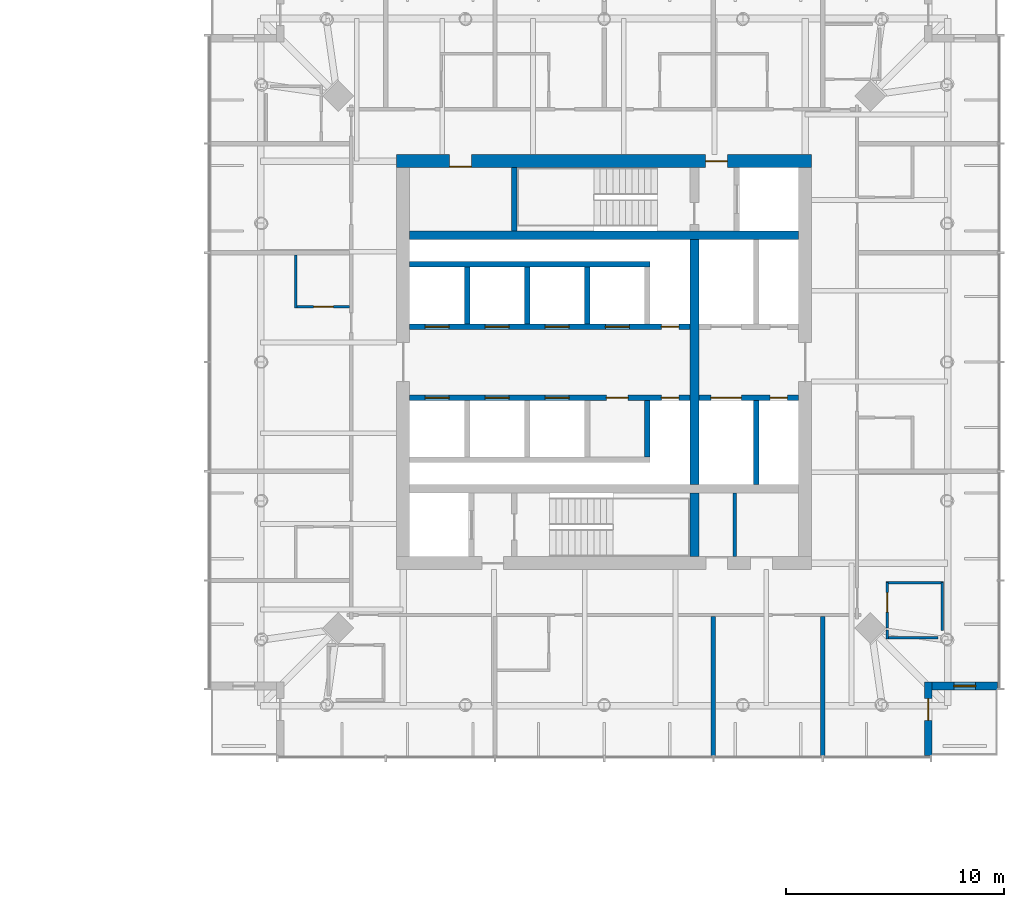
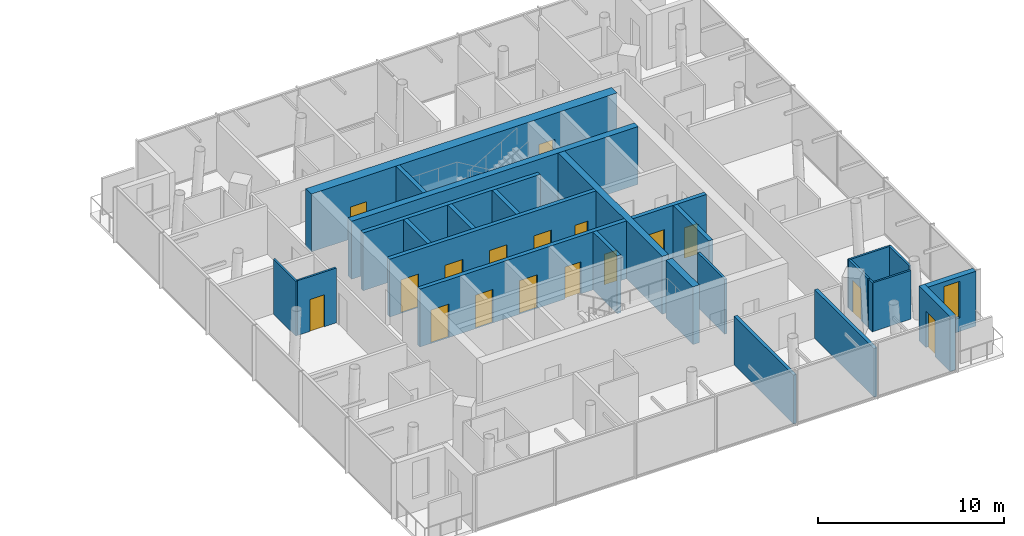
# One storey, part 13 of 18: 26 walls, 17 doors, 1 window, 18 openings.
"""IFC4 building model written with IfcOpenShell, lengths in metres."""

from ifc_helpers import new_model, si_unit, direction, frame, frame_2d, origin, place, context, subcontext, project, spatial, rectangle, extrude, material, layer, layer_set, type_object, element, fill, save


model = new_model("IFC4")

# Units and contexts
model_context = context("Model", 3, precision=1e-05, world=origin(), true_north=direction((0.0, 1.0)))
body_context = subcontext(model_context, "Body", "Model", "MODEL_VIEW")
ifc_project = project(units=[si_unit("LENGTHUNIT", "METRE"), si_unit("AREAUNIT", "SQUARE_METRE"), si_unit("VOLUMEUNIT", "CUBIC_METRE"), si_unit("PLANEANGLEUNIT", "RADIAN"), si_unit("MASSUNIT", "GRAM", prefix="KILO")], contexts=[model_context])

# Site, building, storey
site_placement = place(None, origin())
site = spatial("IfcSite", under=ifc_project, at=site_placement, CompositionType="ELEMENT")
building_placement = place(site_placement, origin())
building = spatial("IfcBuilding", under=site, at=building_placement, Name="Ostroluk Exchange", CompositionType="ELEMENT")
storey_placement = place(building_placement, frame((0.0, 0.0, 97.0)))
storey = spatial("IfcBuildingStorey", under=building, at=storey_placement, Name="L24", CompositionType="ELEMENT", Elevation=97.0)

# Walls
ifc_material_1 = material(Name="Concrete blockwork", Category="masonry")
ifc_layer_1 = layer(ifc_material_1, 0.14990234375)
ifc_layer_set_1 = layer_set([ifc_layer_1], Name="Blockwork plant room wall 150")
wall_type_1 = type_object("IfcWallType", Name="Blockwork plant room wall 150", PredefinedType="SOLIDWALL", material=ifc_layer_set_1)
wall_1_placement = place(storey_placement, frame((122.97509765625, 37.10009765625, 0.0), z_axis=(0.0, 0.0, 1.0), x_axis=(0.0, 1.0, 0.0)))
element("IfcWall", 1, at=wall_1_placement, inside=storey, type_object=wall_type_1, Name="Core room wall", PredefinedType="SOLIDWALL", context=body_context, shape_type="SweptSolid", body=[
    extrude(rectangle(XDim=2.89990234375, YDim=0.14990234375, at=frame_2d((1.449951171875, 0.0))), origin(), (0.0, 0.0, 1.0), 3.60009765625),
])
ifc_material_2 = material(Name="Concrete C50/60", Category="concrete")
ifc_layer_2 = layer(ifc_material_2, 0.39990234375)
ifc_layer_set_2 = layer_set([ifc_layer_2], Name="Core cross wall 400 C50/60")
wall_type_2 = type_object("IfcWallType", Name="Core cross wall 400 C50/60", PredefinedType="SHEAR", material=ifc_layer_set_2)
wall_2_placement = place(storey_placement, frame((108.10009765625, 51.800048828125, 0.0), z_axis=(0.0, 0.0, 1.0), x_axis=(1.0, 0.0, 0.0)))
element("IfcWall", 2, at=wall_2_placement, inside=storey, type_object=wall_type_2, Name="T2 core wall XN", PredefinedType="SHEAR", context=body_context, shape_type="SweptSolid", body=[
    extrude(rectangle(XDim=17.7998046875, YDim=0.39990234375, at=frame_2d((8.89990234375, 0.0))), origin(), (0.0, 0.0, 1.0), 3.800048828125),
])
wall_3_placement = place(storey_placement, frame((121.1298828125, 37.10009765625, 0.0), z_axis=(0.0, 0.0, 1.0), x_axis=(0.0, 1.0, 0.0)))
element("IfcWall", 3, at=wall_3_placement, inside=storey, type_object=wall_type_2, Name="T2 core wall YE1", PredefinedType="SHEAR", context=body_context, shape_type="SweptSolid", body=[
    extrude(rectangle(XDim=2.89990234375, YDim=0.39990234375, at=frame_2d((1.449951171875, 0.0))), origin(), (0.0, 0.0, 1.0), 3.800048828125),
])
wall_4_placement = place(storey_placement, frame((121.1298828125, 40.39990234375, 0.0), z_axis=(0.0, 0.0, 1.0), x_axis=(0.0, 1.0, 0.0)))
element("IfcWall", 4, at=wall_4_placement, inside=storey, type_object=wall_type_2, Name="T2 core wall YE2", PredefinedType="SHEAR", context=body_context, shape_type="SweptSolid", body=[
    extrude(rectangle(XDim=11.2001953125, YDim=0.39990234375, at=frame_2d((5.60009765625, 0.0))), origin(), (0.0, 0.0, 1.0), 3.800048828125),
])
ifc_material_3 = material(Name="Concrete C40/50", Category="concrete")
ifc_layer_3 = layer(ifc_material_3, 0.25)
ifc_layer_set_3 = layer_set([ifc_layer_3], Name="Core shaft wall 250")
wall_type_3 = type_object("IfcWallType", Name="Core shaft wall 250", PredefinedType="SHEAR", material=ifc_layer_set_3)
wall_5_placement = place(storey_placement, frame((112.875, 52.0, 0.0), z_axis=(0.0, 0.0, 1.0), x_axis=(0.0, 1.0, 0.0)))
element("IfcWall", 5, at=wall_5_placement, inside=storey, type_object=wall_type_3, Name="Stair shaft wall", PredefinedType="SHEAR", context=body_context, shape_type="SweptSolid", body=[
    extrude(rectangle(XDim=2.89990234375, YDim=0.25, at=frame_2d((1.449951171875, 0.0))), origin(), (0.0, 0.0, 1.0), 3.800048828125),
])
for number, where, z_axis, x_axis, name in (
    (6, (110.72509765625, 47.75, 0.0), (0.0, 0.0, 1.0), (0.0, 1.0, 0.0), "Lift shaft wall"),
    (7, (113.47509765625, 47.75, 0.0), (0.0, 0.0, 1.0), (0.0, 1.0, 0.0), "Lift shaft wall"),
    (8, (116.22509765625, 47.75, 0.0), (0.0, 0.0, 1.0), (0.0, 1.0, 0.0), "Lift shaft wall"),
):
    element("IfcWall", number, at=place(storey_placement, frame(where, z_axis=z_axis, x_axis=x_axis)), inside=storey, type_object=wall_type_3, Name=name, PredefinedType="SHEAR", context=body_context, shape_type="SweptSolid", body=[
        extrude(rectangle(XDim=2.60009765625, YDim=0.25, at=frame_2d((1.300048828125, 0.0))), origin(), (0.0, 0.0, 1.0), 3.800048828125),
    ])
wall_6_placement = place(storey_placement, frame((108.10009765625, 50.47509765625, 0.0), z_axis=(0.0, 0.0, 1.0), x_axis=(1.0, 0.0, 0.0)))
element("IfcWall", 9, at=wall_6_placement, inside=storey, type_object=wall_type_3, Name="Lift shaft wall", PredefinedType="SHEAR", context=body_context, shape_type="SweptSolid", body=[
    extrude(rectangle(XDim=11.0, YDim=0.25, at=frame_2d((5.5, 0.0))), origin(), (0.0, 0.0, 1.0), 3.800048828125),
])

# Wall, openings, doors
wall_7_placement = place(storey_placement, frame((108.10009765625, 47.625, 0.0), z_axis=(0.0, 0.0, 1.0), x_axis=(1.0, 0.0, 0.0)))
wall_7 = element("IfcWall", 10, at=wall_7_placement, inside=storey, type_object=wall_type_3, Name="Lift shaft front wall", PredefinedType="SHEAR", context=body_context, shape_type="SweptSolid", body=[
    extrude(rectangle(XDim=12.829833984375, YDim=0.25, at=frame_2d((6.4150390625, 0.0))), origin(), (0.0, 0.0, 1.0), 3.800048828125),
])
opening_1_placement = place(wall_7_placement, frame((0.699951171875, 0.0, 0.0)))
opening_1 = element("IfcOpeningElement", 11, at=opening_1_placement, cuts=wall_7, Name="Opening LD", PredefinedType="OPENING", context=body_context, shape_type="SweptSolid", body=[
    extrude(rectangle(XDim=1.10009765625, YDim=2.199951171875, at=frame_2d((0.550048828125, 1.10009765625))), frame((0.0, 0.135009765625, 0.0), z_axis=(0.0, -1.0, 0.0), x_axis=(1.0, 0.0, 0.0)), (0.0, 0.0, 1.0), 0.27001953125),
])
opening_2_placement = place(wall_7_placement, frame((3.449951171875, 0.0, 0.0)))
opening_2 = element("IfcOpeningElement", 12, at=opening_2_placement, cuts=wall_7, Name="Opening LD", PredefinedType="OPENING", context=body_context, shape_type="SweptSolid", body=[
    extrude(rectangle(XDim=1.10009765625, YDim=2.199951171875, at=frame_2d((0.550048828125, 1.10009765625))), frame((0.0, 0.135009765625, 0.0), z_axis=(0.0, -1.0, 0.0), x_axis=(1.0, 0.0, 0.0)), (0.0, 0.0, 1.0), 0.27001953125),
])
opening_3_placement = place(wall_7_placement, frame((6.199951171875, 0.0, 0.0)))
opening_3 = element("IfcOpeningElement", 13, at=opening_3_placement, cuts=wall_7, Name="Opening LD", PredefinedType="OPENING", context=body_context, shape_type="SweptSolid", body=[
    extrude(rectangle(XDim=1.10009765625, YDim=2.199951171875, at=frame_2d((0.550048828125, 1.10009765625))), frame((0.0, 0.135009765625, 0.0), z_axis=(0.0, -1.0, 0.0), x_axis=(1.0, 0.0, 0.0)), (0.0, 0.0, 1.0), 0.27001953125),
])
opening_4_placement = place(wall_7_placement, frame((8.949951171875, 0.0, 0.0)))
opening_4 = element("IfcOpeningElement", 14, at=opening_4_placement, cuts=wall_7, Name="Opening LD", PredefinedType="OPENING", context=body_context, shape_type="SweptSolid", body=[
    extrude(rectangle(XDim=1.10009765625, YDim=2.199951171875, at=frame_2d((0.550048828125, 1.10009765625))), frame((0.0, 0.135009765625, 0.0), z_axis=(0.0, -1.0, 0.0), x_axis=(1.0, 0.0, 0.0)), (0.0, 0.0, 1.0), 0.27001953125),
])
opening_5_placement = place(wall_7_placement, frame((11.514892578125, 0.0, 0.0)))
opening_5 = element("IfcOpeningElement", 15, at=opening_5_placement, cuts=wall_7, Name="Opening RD60", PredefinedType="OPENING", context=body_context, shape_type="SweptSolid", body=[
    extrude(rectangle(XDim=0.800048828125, YDim=2.0, at=frame_2d((0.39990234375, 1.0))), frame((0.0, 0.135009765625, 0.0), z_axis=(0.0, -1.0, 0.0), x_axis=(1.0, 0.0, 0.0)), (0.0, 0.0, 1.0), 0.27001953125),
])
ifc_material_4 = material(Name="Stainless steel", Category="steel")
door_type_1 = type_object("IfcDoorType", Name="Lift landing door E 60 1100 x 2200", OperationType="DOUBLE_DOOR_SLIDING", PredefinedType="DOOR", material=ifc_material_4)
door_1_placement = place(opening_1_placement, origin())
door_1 = element("IfcDoor", 16, at=door_1_placement, inside=storey, type_object=door_type_1, Name="Lift HL1 landing door", OperationType="DOUBLE_DOOR_SLIDING", OverallHeight=2.199951171875, OverallWidth=1.10009765625, PredefinedType="DOOR", context=body_context, shape_type="SweptSolid", body=[
    extrude(rectangle(XDim=1.10009765625, YDim=2.199951171875, at=frame_2d((0.550048828125, 1.10009765625))), frame((0.0, 0.02490234375, 0.0), z_axis=(0.0, -1.0, 0.0), x_axis=(1.0, 0.0, 0.0)), (0.0, 0.0, 1.0), 0.050048828125),
])
fill(opening_1, door_1)
door_2_placement = place(opening_2_placement, origin())
door_2 = element("IfcDoor", 17, at=door_2_placement, inside=storey, type_object=door_type_1, Name="Lift HL2 landing door", OperationType="DOUBLE_DOOR_SLIDING", OverallHeight=2.199951171875, OverallWidth=1.10009765625, PredefinedType="DOOR", context=body_context, shape_type="SweptSolid", body=[
    extrude(rectangle(XDim=1.10009765625, YDim=2.199951171875, at=frame_2d((0.550048828125, 1.10009765625))), frame((0.0, 0.02490234375, 0.0), z_axis=(0.0, -1.0, 0.0), x_axis=(1.0, 0.0, 0.0)), (0.0, 0.0, 1.0), 0.050048828125),
])
fill(opening_2, door_2)
door_3_placement = place(opening_3_placement, origin())
door_3 = element("IfcDoor", 18, at=door_3_placement, inside=storey, type_object=door_type_1, Name="Lift HL3 landing door", OperationType="DOUBLE_DOOR_SLIDING", OverallHeight=2.199951171875, OverallWidth=1.10009765625, PredefinedType="DOOR", context=body_context, shape_type="SweptSolid", body=[
    extrude(rectangle(XDim=1.10009765625, YDim=2.199951171875, at=frame_2d((0.550048828125, 1.10009765625))), frame((0.0, 0.02490234375, 0.0), z_axis=(0.0, -1.0, 0.0), x_axis=(1.0, 0.0, 0.0)), (0.0, 0.0, 1.0), 0.050048828125),
])
fill(opening_3, door_3)
door_4_placement = place(opening_4_placement, origin())
door_4 = element("IfcDoor", 19, at=door_4_placement, inside=storey, type_object=door_type_1, Name="Lift HL4 landing door", OperationType="DOUBLE_DOOR_SLIDING", OverallHeight=2.199951171875, OverallWidth=1.10009765625, PredefinedType="DOOR", context=body_context, shape_type="SweptSolid", body=[
    extrude(rectangle(XDim=1.10009765625, YDim=2.199951171875, at=frame_2d((0.550048828125, 1.10009765625))), frame((0.0, 0.02490234375, 0.0), z_axis=(0.0, -1.0, 0.0), x_axis=(1.0, 0.0, 0.0)), (0.0, 0.0, 1.0), 0.050048828125),
])
fill(opening_4, door_4)
ifc_material_5 = material(Name="Steel", Category="steel")
door_type_2 = type_object("IfcDoorType", Name="Riser access door EI 60 800 x 2000", OperationType="SINGLE_SWING_LEFT", PredefinedType="DOOR", material=ifc_material_5)
door_5_placement = place(opening_5_placement, origin())
door_5 = element("IfcDoor", 20, at=door_5_placement, inside=storey, type_object=door_type_2, Name="Riser access door", OperationType="SINGLE_SWING_RIGHT", OverallHeight=2.0, OverallWidth=0.800048828125, PredefinedType="DOOR", context=body_context, shape_type="SweptSolid", body=[
    extrude(rectangle(XDim=0.800048828125, YDim=2.0, at=frame_2d((0.39990234375, 1.0))), frame((0.0, 0.02490234375, 0.0), z_axis=(0.0, -1.0, 0.0), x_axis=(1.0, 0.0, 0.0)), (0.0, 0.0, 1.0), 0.050048828125),
])
fill(opening_5, door_5)

# Wall
wall_8_placement = place(storey_placement, frame((118.97509765625, 44.25, 0.0), z_axis=(0.0, 0.0, 1.0), x_axis=(0.0, -1.0, 0.0)))
element("IfcWall", 21, at=wall_8_placement, inside=storey, type_object=wall_type_3, Name="Lift shaft wall", PredefinedType="SHEAR", context=body_context, shape_type="SweptSolid", body=[
    extrude(rectangle(XDim=2.60009765625, YDim=0.25, at=frame_2d((1.300048828125, 0.0))), origin(), (0.0, 0.0, 1.0), 3.800048828125),
])

# Wall, openings, doors
wall_9_placement = place(storey_placement, frame((108.10009765625, 44.375, 0.0), z_axis=(0.0, 0.0, 1.0), x_axis=(1.0, 0.0, 0.0)))
wall_9 = element("IfcWall", 22, at=wall_9_placement, inside=storey, type_object=wall_type_3, Name="Lift shaft front wall", PredefinedType="SHEAR", context=body_context, shape_type="SweptSolid", body=[
    extrude(rectangle(XDim=12.829833984375, YDim=0.25, at=frame_2d((6.4150390625, 0.0))), origin(), (0.0, 0.0, 1.0), 3.800048828125),
])
opening_6_placement = place(wall_9_placement, frame((0.699951171875, 0.0, 0.0)))
opening_6 = element("IfcOpeningElement", 23, at=opening_6_placement, cuts=wall_9, Name="Opening LD", PredefinedType="OPENING", context=body_context, shape_type="SweptSolid", body=[
    extrude(rectangle(XDim=1.10009765625, YDim=2.199951171875, at=frame_2d((0.550048828125, 1.10009765625))), frame((0.0, 0.135009765625, 0.0), z_axis=(0.0, -1.0, 0.0), x_axis=(1.0, 0.0, 0.0)), (0.0, 0.0, 1.0), 0.27001953125),
])
opening_7_placement = place(wall_9_placement, frame((3.449951171875, 0.0, 0.0)))
opening_7 = element("IfcOpeningElement", 24, at=opening_7_placement, cuts=wall_9, Name="Opening LD", PredefinedType="OPENING", context=body_context, shape_type="SweptSolid", body=[
    extrude(rectangle(XDim=1.10009765625, YDim=2.199951171875, at=frame_2d((0.550048828125, 1.10009765625))), frame((0.0, 0.135009765625, 0.0), z_axis=(0.0, -1.0, 0.0), x_axis=(1.0, 0.0, 0.0)), (0.0, 0.0, 1.0), 0.27001953125),
])
opening_8_placement = place(wall_9_placement, frame((6.199951171875, 0.0, 0.0)))
opening_8 = element("IfcOpeningElement", 25, at=opening_8_placement, cuts=wall_9, Name="Opening LD", PredefinedType="OPENING", context=body_context, shape_type="SweptSolid", body=[
    extrude(rectangle(XDim=1.10009765625, YDim=2.199951171875, at=frame_2d((0.550048828125, 1.10009765625))), frame((0.0, 0.135009765625, 0.0), z_axis=(0.0, -1.0, 0.0), x_axis=(1.0, 0.0, 0.0)), (0.0, 0.0, 1.0), 0.27001953125),
])
opening_9_placement = place(wall_9_placement, frame((9.0, 0.0, 0.0)))
opening_9 = element("IfcOpeningElement", 26, at=opening_9_placement, cuts=wall_9, Name="Opening FD60", PredefinedType="OPENING", context=body_context, shape_type="SweptSolid", body=[
    extrude(rectangle(XDim=1.0, YDim=2.10009765625, at=frame_2d((0.5, 1.050048828125))), frame((0.0, 0.135009765625, 0.0), z_axis=(0.0, -1.0, 0.0), x_axis=(1.0, 0.0, 0.0)), (0.0, 0.0, 1.0), 0.27001953125),
])
opening_10_placement = place(wall_9_placement, frame((11.514892578125, 0.0, 0.0)))
opening_10 = element("IfcOpeningElement", 27, at=opening_10_placement, cuts=wall_9, Name="Opening RD60", PredefinedType="OPENING", context=body_context, shape_type="SweptSolid", body=[
    extrude(rectangle(XDim=0.800048828125, YDim=2.0, at=frame_2d((0.39990234375, 1.0))), frame((0.0, 0.135009765625, 0.0), z_axis=(0.0, -1.0, 0.0), x_axis=(1.0, 0.0, 0.0)), (0.0, 0.0, 1.0), 0.27001953125),
])
ifc_material_6 = material(Name="Steel", Category="steel")
door_type_3 = type_object("IfcDoorType", Name="Fire door EI 60 1000 x 2100", OperationType="SINGLE_SWING_LEFT", PredefinedType="DOOR", material=ifc_material_6)
door_6_placement = place(opening_9_placement, origin())
door_6 = element("IfcDoor", 28, at=door_6_placement, inside=storey, type_object=door_type_3, Name="Core room door", OperationType="SINGLE_SWING_RIGHT", OverallHeight=2.10009765625, OverallWidth=1.0, PredefinedType="DOOR", context=body_context, shape_type="SweptSolid", body=[
    extrude(rectangle(XDim=1.0, YDim=2.10009765625, at=frame_2d((0.5, 1.050048828125))), frame((0.0, 0.02490234375, 0.0), z_axis=(0.0, -1.0, 0.0), x_axis=(1.0, 0.0, 0.0)), (0.0, 0.0, 1.0), 0.050048828125),
])
fill(opening_9, door_6)
door_7_placement = place(opening_6_placement, origin())
door_7 = element("IfcDoor", 29, at=door_7_placement, inside=storey, type_object=door_type_1, Name="Lift HL5 landing door", OperationType="DOUBLE_DOOR_SLIDING", OverallHeight=2.199951171875, OverallWidth=1.10009765625, PredefinedType="DOOR", context=body_context, shape_type="SweptSolid", body=[
    extrude(rectangle(XDim=1.10009765625, YDim=2.199951171875, at=frame_2d((0.550048828125, 1.10009765625))), frame((0.0, 0.02490234375, 0.0), z_axis=(0.0, -1.0, 0.0), x_axis=(1.0, 0.0, 0.0)), (0.0, 0.0, 1.0), 0.050048828125),
])
fill(opening_6, door_7)
door_8_placement = place(opening_7_placement, origin())
door_8 = element("IfcDoor", 30, at=door_8_placement, inside=storey, type_object=door_type_1, Name="Lift HL6 landing door", OperationType="DOUBLE_DOOR_SLIDING", OverallHeight=2.199951171875, OverallWidth=1.10009765625, PredefinedType="DOOR", context=body_context, shape_type="SweptSolid", body=[
    extrude(rectangle(XDim=1.10009765625, YDim=2.199951171875, at=frame_2d((0.550048828125, 1.10009765625))), frame((0.0, 0.02490234375, 0.0), z_axis=(0.0, -1.0, 0.0), x_axis=(1.0, 0.0, 0.0)), (0.0, 0.0, 1.0), 0.050048828125),
])
fill(opening_7, door_8)
door_9_placement = place(opening_8_placement, origin())
door_9 = element("IfcDoor", 31, at=door_9_placement, inside=storey, type_object=door_type_1, Name="Lift HL7 landing door", OperationType="DOUBLE_DOOR_SLIDING", OverallHeight=2.199951171875, OverallWidth=1.10009765625, PredefinedType="DOOR", context=body_context, shape_type="SweptSolid", body=[
    extrude(rectangle(XDim=1.10009765625, YDim=2.199951171875, at=frame_2d((0.550048828125, 1.10009765625))), frame((0.0, 0.02490234375, 0.0), z_axis=(0.0, -1.0, 0.0), x_axis=(1.0, 0.0, 0.0)), (0.0, 0.0, 1.0), 0.050048828125),
])
fill(opening_8, door_9)
door_10_placement = place(opening_10_placement, origin())
door_10 = element("IfcDoor", 32, at=door_10_placement, inside=storey, type_object=door_type_2, Name="Riser access door", OperationType="SINGLE_SWING_RIGHT", OverallHeight=2.0, OverallWidth=0.800048828125, PredefinedType="DOOR", context=body_context, shape_type="SweptSolid", body=[
    extrude(rectangle(XDim=0.800048828125, YDim=2.0, at=frame_2d((0.39990234375, 1.0))), frame((0.0, 0.02490234375, 0.0), z_axis=(0.0, -1.0, 0.0), x_axis=(1.0, 0.0, 0.0)), (0.0, 0.0, 1.0), 0.050048828125),
])
fill(opening_10, door_10)

# Wall
wall_10_placement = place(storey_placement, frame((123.955078125, 44.25, 0.0), z_axis=(0.0, 0.0, 1.0), x_axis=(0.0, -1.0, 0.0)))
element("IfcWall", 33, at=wall_10_placement, inside=storey, type_object=wall_type_3, Name="Lift shaft wall", PredefinedType="SHEAR", context=body_context, shape_type="SweptSolid", body=[
    extrude(rectangle(XDim=3.85009765625, YDim=0.25, at=frame_2d((1.925048828125, 0.0))), origin(), (0.0, 0.0, 1.0), 3.800048828125),
])

# Wall, openings, doors
wall_11_placement = place(storey_placement, frame((121.330078125, 44.375, 0.0), z_axis=(0.0, 0.0, 1.0), x_axis=(1.0, 0.0, 0.0)))
wall_11 = element("IfcWall", 34, at=wall_11_placement, inside=storey, type_object=wall_type_3, Name="Lift shaft front wall", PredefinedType="SHEAR", context=body_context, shape_type="SweptSolid", body=[
    extrude(rectangle(XDim=4.56982421875, YDim=0.25, at=frame_2d((2.284912109375, 0.0))), origin(), (0.0, 0.0, 1.0), 3.800048828125),
])
opening_11_placement = place(wall_11_placement, frame((0.550048828125, 0.0, 0.0)))
opening_11 = element("IfcOpeningElement", 35, at=opening_11_placement, cuts=wall_11, Name="Opening LD3", PredefinedType="OPENING", context=body_context, shape_type="SweptSolid", body=[
    extrude(rectangle(XDim=1.39990234375, YDim=2.39990234375, at=frame_2d((0.699951171875, 1.199951171875))), frame((0.0, 0.135009765625, 0.0), z_axis=(0.0, -1.0, 0.0), x_axis=(1.0, 0.0, 0.0)), (0.0, 0.0, 1.0), 0.27001953125),
])
opening_12_placement = place(wall_11_placement, frame((3.260009765625, 0.0, 0.0)))
opening_12 = element("IfcOpeningElement", 36, at=opening_12_placement, cuts=wall_11, Name="Opening RD60", PredefinedType="OPENING", context=body_context, shape_type="SweptSolid", body=[
    extrude(rectangle(XDim=0.800048828125, YDim=2.0, at=frame_2d((0.39990234375, 1.0))), frame((0.0, 0.135009765625, 0.0), z_axis=(0.0, -1.0, 0.0), x_axis=(1.0, 0.0, 0.0)), (0.0, 0.0, 1.0), 0.27001953125),
])
ifc_material_7 = material(Name="Stainless steel", Category="steel")
door_type_4 = type_object("IfcDoorType", Name="Goods lift landing door E 60 1400 x 2400", OperationType="DOUBLE_DOOR_SLIDING", PredefinedType="DOOR", material=ifc_material_7)
door_11_placement = place(opening_11_placement, origin())
door_11 = element("IfcDoor", 37, at=door_11_placement, inside=storey, type_object=door_type_4, Name="Lift HS2 landing door", OperationType="DOUBLE_DOOR_SLIDING", OverallHeight=2.39990234375, OverallWidth=1.39990234375, PredefinedType="DOOR", context=body_context, shape_type="SweptSolid", body=[
    extrude(rectangle(XDim=1.39990234375, YDim=2.39990234375, at=frame_2d((0.699951171875, 1.199951171875))), frame((0.0, 0.02490234375, 0.0), z_axis=(0.0, -1.0, 0.0), x_axis=(1.0, 0.0, 0.0)), (0.0, 0.0, 1.0), 0.050048828125),
])
fill(opening_11, door_11)
door_12_placement = place(opening_12_placement, origin())
door_12 = element("IfcDoor", 38, at=door_12_placement, inside=storey, type_object=door_type_2, Name="Riser access door", OperationType="SINGLE_SWING_RIGHT", OverallHeight=2.0, OverallWidth=0.800048828125, PredefinedType="DOOR", context=body_context, shape_type="SweptSolid", body=[
    extrude(rectangle(XDim=0.800048828125, YDim=2.0, at=frame_2d((0.39990234375, 1.0))), frame((0.0, 0.02490234375, 0.0), z_axis=(0.0, -1.0, 0.0), x_axis=(1.0, 0.0, 0.0)), (0.0, 0.0, 1.0), 0.050048828125),
])
fill(opening_12, door_12)

ifc_material_8 = material(Name="Concrete C50/60", Category="concrete")
ifc_layer_4 = layer(ifc_material_8, 0.60009765625)
ifc_layer_set_4 = layer_set([ifc_layer_4], Name="Core wall 600 C50/60")
wall_type_4 = type_object("IfcWallType", Name="Core wall 600 C50/60", PredefinedType="SHEAR", material=ifc_layer_set_4)
wall_12_placement = place(storey_placement, frame((107.5, 55.199951171875, 0.0), z_axis=(0.0, 0.0, 1.0), x_axis=(1.0, 0.0, 0.0)))
wall_12 = element("IfcWall", 39, at=wall_12_placement, inside=storey, type_object=wall_type_4, Name="T2 core wall N", PredefinedType="SHEAR", context=body_context, shape_type="SweptSolid", body=[
    extrude(rectangle(XDim=19.0, YDim=0.60009765625, at=frame_2d((9.5, 0.0))), origin(), (0.0, 0.0, 1.0), 3.800048828125),
])
opening_13_placement = place(wall_12_placement, frame((14.139892578125, 0.0, 0.0)))
opening_13 = element("IfcOpeningElement", 40, at=opening_13_placement, cuts=wall_12, Name="Opening FD60", PredefinedType="OPENING", context=body_context, shape_type="SweptSolid", body=[
    extrude(rectangle(XDim=1.0, YDim=2.10009765625, at=frame_2d((0.5, 1.050048828125))), frame((0.0, 0.31005859375, 0.0), z_axis=(0.0, -1.0, 0.0), x_axis=(1.0, 0.0, 0.0)), (0.0, 0.0, 1.0), 0.6201171875),
])
opening_14_placement = place(wall_12_placement, frame((2.425048828125, 0.0, 0.0)))
opening_14 = element("IfcOpeningElement", 41, at=opening_14_placement, cuts=wall_12, Name="Opening FD60", PredefinedType="OPENING", context=body_context, shape_type="SweptSolid", body=[
    extrude(rectangle(XDim=1.0, YDim=2.10009765625, at=frame_2d((0.5, 1.050048828125))), frame((0.0, 0.31005859375, 0.0), z_axis=(0.0, -1.0, 0.0), x_axis=(1.0, 0.0, 0.0)), (0.0, 0.0, 1.0), 0.6201171875),
])
door_13_placement = place(opening_13_placement, origin())
door_13 = element("IfcDoor", 42, at=door_13_placement, inside=storey, type_object=door_type_3, Name="Firefighting lobby door", OperationType="SINGLE_SWING_RIGHT", OverallHeight=2.10009765625, OverallWidth=1.0, PredefinedType="DOOR", context=body_context, shape_type="SweptSolid", body=[
    extrude(rectangle(XDim=1.0, YDim=2.10009765625, at=frame_2d((0.5, 1.050048828125))), frame((0.0, 0.02490234375, 0.0), z_axis=(0.0, -1.0, 0.0), x_axis=(1.0, 0.0, 0.0)), (0.0, 0.0, 1.0), 0.050048828125),
])
fill(opening_13, door_13)
door_14_placement = place(opening_14_placement, origin())
door_14 = element("IfcDoor", 43, at=door_14_placement, inside=storey, type_object=door_type_3, Name="Guest pantry door", OperationType="SINGLE_SWING_LEFT", OverallHeight=2.10009765625, OverallWidth=1.0, PredefinedType="DOOR", context=body_context, shape_type="SweptSolid", body=[
    extrude(rectangle(XDim=1.0, YDim=2.10009765625, at=frame_2d((0.5, 1.050048828125))), frame((0.0, -0.23974609375, 0.0), z_axis=(0.0, -1.0, 0.0), x_axis=(1.0, 0.0, 0.0)), (0.0, 0.0, 1.0), 0.050048828125),
])
fill(opening_14, door_14)

# Wall, opening, door
ifc_material_9 = material(Name="Limestone", Category="masonry")
ifc_layer_5 = layer(ifc_material_9, 0.35009765625)
ifc_layer_set_5 = layer_set([ifc_layer_5], Name="Limestone facade wall 350")
wall_type_5 = type_object("IfcWallType", Name="Limestone facade wall 350", PredefinedType="SOLIDWALL", material=ifc_layer_set_5)
wall_13_placement = place(storey_placement, frame((131.824951171875, 28.0, 0.0), z_axis=(0.0, 0.0, 1.0), x_axis=(0.0, 1.0, 0.0)))
wall_13 = element("IfcWall", 44, at=wall_13_placement, inside=storey, type_object=wall_type_5, Name="Hotel tower SE corner wall L24 a", PredefinedType="SOLIDWALL", context=body_context, shape_type="SweptSolid", body=[
    extrude(rectangle(XDim=3.35009765625, YDim=0.35009765625, at=frame_2d((1.675048828125, 0.0))), origin(), (0.0, 0.0, 1.0), 3.60009765625),
])
opening_15_placement = place(wall_13_placement, frame((1.60009765625, 0.0, 0.0)))
opening_15 = element("IfcOpeningElement", 45, at=opening_15_placement, cuts=wall_13, Name="Opening D-B1", PredefinedType="OPENING", context=body_context, shape_type="SweptSolid", body=[
    extrude(rectangle(XDim=1.0, YDim=2.39990234375, at=frame_2d((0.5, 1.199951171875))), frame((0.0, 0.18505859375, 0.0), z_axis=(0.0, -1.0, 0.0), x_axis=(1.0, 0.0, 0.0)), (0.0, 0.0, 1.0), 0.3701171875),
])
ifc_material_10 = material(Name="Bronze framed glazed door", Category="aluminium")
door_type_5 = type_object("IfcDoorType", Name="Balcony door 1000 x 2400", OperationType="SINGLE_SWING_LEFT", PredefinedType="DOOR", material=ifc_material_10)
door_15_placement = place(opening_15_placement, origin())
door_15 = element("IfcDoor", 46, at=door_15_placement, inside=storey, type_object=door_type_5, Name="Hotel tower SE balcony door L24", OperationType="SINGLE_SWING_RIGHT", OverallHeight=2.39990234375, OverallWidth=1.0, PredefinedType="DOOR", context=body_context, shape_type="SweptSolid", body=[
    extrude(rectangle(XDim=1.0, YDim=2.39990234375, at=frame_2d((0.5, 1.199951171875))), frame((0.0, 0.02490234375, 0.0), z_axis=(0.0, -1.0, 0.0), x_axis=(1.0, 0.0, 0.0)), (0.0, 0.0, 1.0), 0.050048828125),
])
fill(opening_15, door_15)

# Wall, opening, window
wall_14_placement = place(storey_placement, frame((132.0, 31.175048828125, 0.0), z_axis=(0.0, 0.0, 1.0), x_axis=(1.0, 0.0, 0.0)))
wall_14 = element("IfcWall", 47, at=wall_14_placement, inside=storey, type_object=wall_type_5, Name="Hotel tower SE corner wall L24 b", PredefinedType="SOLIDWALL", context=body_context, shape_type="SweptSolid", body=[
    extrude(rectangle(XDim=3.0, YDim=0.35009765625, at=frame_2d((1.5, 0.0))), origin(), (0.0, 0.0, 1.0), 3.60009765625),
])
opening_16_placement = place(wall_14_placement, frame((1.0, 0.0, 0.89990234375)))
opening_16 = element("IfcOpeningElement", 48, at=opening_16_placement, cuts=wall_14, Name="Opening WN-L3", PredefinedType="OPENING", context=body_context, shape_type="SweptSolid", body=[
    extrude(rectangle(XDim=1.0, YDim=2.39990234375, at=frame_2d((0.5, 1.199951171875))), frame((0.0, 0.18505859375, 0.0), z_axis=(0.0, -1.0, 0.0), x_axis=(1.0, 0.0, 0.0)), (0.0, 0.0, 1.0), 0.3701171875),
])
ifc_material_11 = material(Name="Laminated clear glass", Category="glass")
window_type = type_object("IfcWindowType", Name="Hotel lancet window 1000 x 2400", PartitioningType="SINGLE_PANEL", PredefinedType="WINDOW", material=ifc_material_11)
window_placement = place(opening_16_placement, origin())
window = element("IfcWindow", 49, at=window_placement, inside=storey, type_object=window_type, Name="Hotel tower SE lancet window L24", OverallHeight=2.39990234375, OverallWidth=1.0, PartitioningType="SINGLE_PANEL", PredefinedType="WINDOW", context=body_context, shape_type="SweptSolid", body=[
    extrude(rectangle(XDim=1.0, YDim=2.39990234375, at=frame_2d((0.5, 1.199951171875))), frame((0.0, 0.030029296875, 0.0), z_axis=(0.0, -1.0, 0.0), x_axis=(1.0, 0.0, 0.0)), (0.0, 0.0, 1.0), 0.06005859375),
])
fill(opening_16, window)

# Wall, opening, door
ifc_material_12 = material(Name="Gypsum plasterboard partition, moisture resistant", Category="gypsum")
ifc_layer_6 = layer(ifc_material_12, 0.1201171875)
ifc_layer_set_6 = layer_set([ifc_layer_6], Name="Plasterboard en-suite wall 120")
wall_type_6 = type_object("IfcWallType", Name="Plasterboard en-suite wall 120", PredefinedType="PARTITIONING", material=ifc_layer_set_6)
wall_15_placement = place(storey_placement, frame((129.949951171875, 35.89990234375, 0.0), z_axis=(0.0, 0.0, 1.0), x_axis=(0.0, -1.0, 0.0)))
wall_15 = element("IfcWall", 50, at=wall_15_placement, inside=storey, type_object=wall_type_6, Name="En-suite wall", PredefinedType="PARTITIONING", context=body_context, shape_type="SweptSolid", body=[
    extrude(rectangle(XDim=2.082763671875, YDim=0.1201171875, at=frame_2d((1.04150390625, 0.0))), origin(), (0.0, 0.0, 1.0), 3.199951171875),
])
opening_17_placement = place(wall_15_placement, frame((0.449951171875, 0.0, 0.0)))
opening_17 = element("IfcOpeningElement", 51, at=opening_17_placement, cuts=wall_15, Name="Opening D-02", PredefinedType="OPENING", context=body_context, shape_type="SweptSolid", body=[
    extrude(rectangle(XDim=0.89990234375, YDim=2.10009765625, at=frame_2d((0.449951171875, 1.050048828125))), frame((0.0, 0.070068359375, 0.0), z_axis=(0.0, -1.0, 0.0), x_axis=(1.0, 0.0, 0.0)), (0.0, 0.0, 1.0), 0.14013671875),
])
ifc_material_13 = material(Name="Timber", Category="wood")
door_type_6 = type_object("IfcDoorType", Name="En-suite door 900 x 2100", OperationType="SINGLE_SWING_LEFT", PredefinedType="DOOR", material=ifc_material_13)
door_16_placement = place(opening_17_placement, origin())
door_16 = element("IfcDoor", 52, at=door_16_placement, inside=storey, type_object=door_type_6, Name="En-suite door 2401", OperationType="SINGLE_SWING_LEFT", OverallHeight=2.10009765625, OverallWidth=0.89990234375, PredefinedType="DOOR", context=body_context, shape_type="SweptSolid", body=[
    extrude(rectangle(XDim=0.89990234375, YDim=2.10009765625, at=frame_2d((0.449951171875, 1.050048828125))), frame((0.0, 0.02490234375, 0.0), z_axis=(0.0, -1.0, 0.0), x_axis=(1.0, 0.0, 0.0)), (0.0, 0.0, 1.0), 0.050048828125),
])
fill(opening_17, door_16)

# Walls
wall_16_placement = place(storey_placement, frame((129.949951171875, 33.734619140625, 0.0), z_axis=(0.0, 0.0, 1.0), x_axis=(0.0, -1.0, 0.0)))
element("IfcWall", 53, at=wall_16_placement, inside=storey, type_object=wall_type_6, Name="En-suite wall", PredefinedType="PARTITIONING", context=body_context, shape_type="SweptSolid", body=[
    extrude(rectangle(XDim=0.41455078125, YDim=0.1201171875, at=frame_2d((0.207275390625, 0.0))), origin(), (0.0, 0.0, 1.0), 3.199951171875),
])
wall_17_placement = place(storey_placement, frame((132.469970703125, 35.89990234375, 0.0), z_axis=(0.0, 0.0, 1.0), x_axis=(0.0, -1.0, 0.0)))
element("IfcWall", 54, at=wall_17_placement, inside=storey, type_object=wall_type_6, Name="En-suite wall", PredefinedType="PARTITIONING", context=body_context, shape_type="SweptSolid", body=[
    extrude(rectangle(XDim=2.1806640625, YDim=0.1201171875, at=frame_2d((1.09033203125, 0.0))), origin(), (0.0, 0.0, 1.0), 3.199951171875),
])
wall_18_placement = place(storey_placement, frame((129.93115234375, 33.3798828125, 0.0), z_axis=(0.0, 0.0, 1.0), x_axis=(1.0, 0.0, 0.0)))
element("IfcWall", 55, at=wall_18_placement, inside=storey, type_object=wall_type_6, Name="En-suite wall", PredefinedType="PARTITIONING", context=body_context, shape_type="SweptSolid", body=[
    extrude(rectangle(XDim=2.349609375, YDim=0.1201171875, at=frame_2d((1.1748046875, 0.0))), origin(), (0.0, 0.0, 1.0), 3.199951171875),
])
wall_19_placement = place(storey_placement, frame((129.889892578125, 35.89990234375, 0.0), z_axis=(0.0, 0.0, 1.0), x_axis=(1.0, 0.0, 0.0)))
element("IfcWall", 56, at=wall_19_placement, inside=storey, type_object=wall_type_6, Name="En-suite wall", PredefinedType="PARTITIONING", context=body_context, shape_type="SweptSolid", body=[
    extrude(rectangle(XDim=2.64013671875, YDim=0.1201171875, at=frame_2d((1.320068359375, 0.0))), origin(), (0.0, 0.0, 1.0), 3.199951171875),
])
wall_20_placement = place(storey_placement, frame((102.889892578125, 50.89990234375, 0.0), z_axis=(0.0, 0.0, 1.0), x_axis=(0.0, -1.0, 0.0)))
element("IfcWall", 57, at=wall_20_placement, inside=storey, type_object=wall_type_6, Name="En-suite wall", PredefinedType="PARTITIONING", context=body_context, shape_type="SweptSolid", body=[
    extrude(rectangle(XDim=2.419921875, YDim=0.1201171875, at=frame_2d((1.2099609375, 0.0))), origin(), (0.0, 0.0, 1.0), 3.60009765625),
])

# Wall, opening, door
wall_21_placement = place(storey_placement, frame((105.35009765625, 48.5400390625, 0.0), z_axis=(0.0, 0.0, 1.0), x_axis=(-1.0, 0.0, 0.0)))
wall_21 = element("IfcWall", 58, at=wall_21_placement, inside=storey, type_object=wall_type_6, Name="En-suite wall", PredefinedType="PARTITIONING", context=body_context, shape_type="SweptSolid", body=[
    extrude(rectangle(XDim=2.400146484375, YDim=0.1201171875, at=frame_2d((1.2001953125, 0.0))), origin(), (0.0, 0.0, 1.0), 3.60009765625),
])
opening_18_placement = place(wall_21_placement, frame((0.75, 0.0, 0.0)))
opening_18 = element("IfcOpeningElement", 59, at=opening_18_placement, cuts=wall_21, Name="Opening D-02", PredefinedType="OPENING", context=body_context, shape_type="SweptSolid", body=[
    extrude(rectangle(XDim=0.89990234375, YDim=2.10009765625, at=frame_2d((0.449951171875, 1.050048828125))), frame((0.0, 0.070068359375, 0.0), z_axis=(0.0, -1.0, 0.0), x_axis=(1.0, 0.0, 0.0)), (0.0, 0.0, 1.0), 0.14013671875),
])
door_17_placement = place(opening_18_placement, origin())
door_17 = element("IfcDoor", 60, at=door_17_placement, inside=storey, type_object=door_type_6, Name="En-suite door 2410", OperationType="SINGLE_SWING_RIGHT", OverallHeight=2.10009765625, OverallWidth=0.89990234375, PredefinedType="DOOR", context=body_context, shape_type="SweptSolid", body=[
    extrude(rectangle(XDim=0.89990234375, YDim=2.10009765625, at=frame_2d((0.449951171875, 1.050048828125))), frame((0.0, 0.02490234375, 0.0), z_axis=(0.0, -1.0, 0.0), x_axis=(1.0, 0.0, 0.0)), (0.0, 0.0, 1.0), 0.050048828125),
])
fill(opening_18, door_17)

# Walls
ifc_material_14 = material(Name="Gypsum plasterboard partition", Category="gypsum")
ifc_layer_7 = layer(ifc_material_14, 0.199951171875)
ifc_layer_set_7 = layer_set([ifc_layer_7], Name="Plasterboard party wall 200")
wall_type_7 = type_object("IfcWallType", Name="Plasterboard party wall 200", PredefinedType="PARTITIONING", material=ifc_layer_set_7)
for number, where, z_axis, x_axis, name in (
    (61, (122.0, 34.35009765625, 0.0), (0.0, 0.0, 1.0), (0.0, -1.0, 0.0), "Party wall"),
    (62, (127.0, 34.35009765625, 0.0), (0.0, 0.0, 1.0), (0.0, -1.0, 0.0), "Party wall"),
):
    element("IfcWall", number, at=place(storey_placement, frame(where, z_axis=z_axis, x_axis=x_axis)), inside=storey, type_object=wall_type_7, Name=name, PredefinedType="PARTITIONING", context=body_context, shape_type="SweptSolid", body=[
        extrude(rectangle(XDim=6.39013671875, YDim=0.199951171875, at=frame_2d((3.195068359375, 0.0))), origin(), (0.0, 0.0, 1.0), 3.199951171875),
    ])

save(model, "model.ifc")
